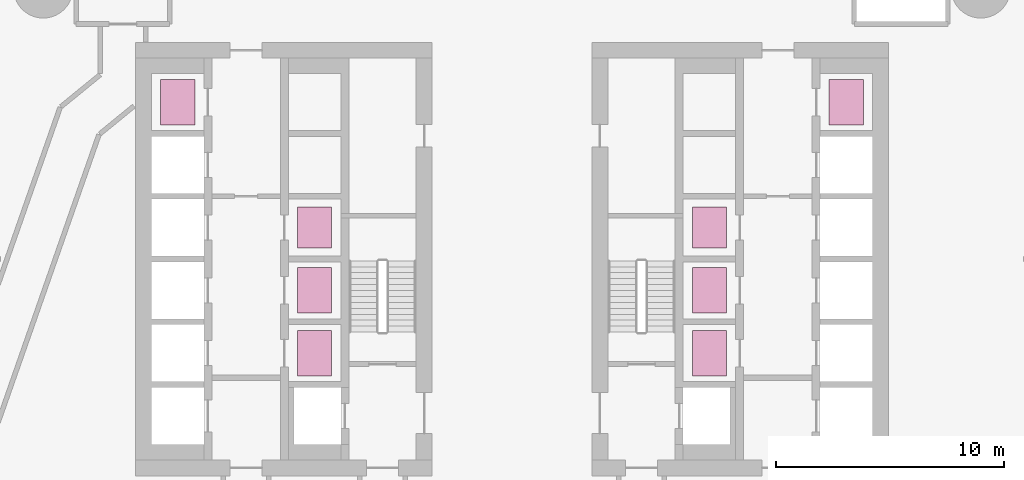
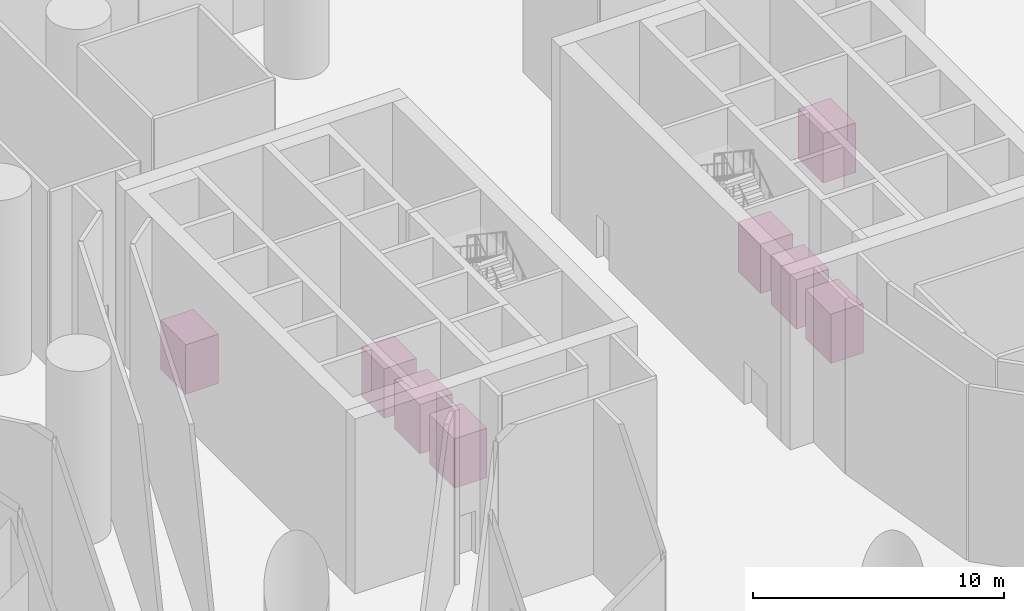
# One storey, part 53 of 54: 8 transport elements.
"""IFC4 building model written with IfcOpenShell, lengths in metres."""

import ifcopenshell
import ifcopenshell.guid

model = None  # the IFC model being written
_history = None  # IfcOwnerHistory: only IFC2X3 demands one
_inside = {}  # id of a spatial element -> (the spatial element, [elements in it])
_under = {}  # id of a project, library or spatial element -> (it, [spatial elements below it])
_declared = {}  # id of a project -> (the project, [libraries it declares])
_typed = {}  # id of a type object -> (the type object, [elements of that type])
_made_of = {}  # id of a material, layer set ... -> (it, [elements and type objects made of it])


def new_model(schema):
    """Start an empty IFC model of exactly this schema.

    Asked for "IFC4X3", IfcOpenShell would pick the latest addendum, in which some entities
    have other attributes; the version numbers below select the first issue.
    IFC2X3 requires an IfcOwnerHistory on every rooted entity: one is made here for all.
    """
    global model, _history
    if schema == "IFC4X3":
        model = ifcopenshell.file(schema_version=(4, 3, 0, 0))
    else:
        model = ifcopenshell.file(schema=schema)
    _inside.clear()
    _under.clear()
    _declared.clear()
    _typed.clear()
    _made_of.clear()
    _history = None
    if model.schema == "IFC2X3":
        org = make("IfcOrganization", Name="unknown")
        user = make(
            "IfcPersonAndOrganization",
            ThePerson=make("IfcPerson", FamilyName="unknown"),
            TheOrganization=org,
        )
        app = make(
            "IfcApplication",
            ApplicationDeveloper=org,
            Version="unknown",
            ApplicationFullName="unknown",
            ApplicationIdentifier="unknown",
        )
        _history = make(
            "IfcOwnerHistory",
            OwningUser=user,
            OwningApplication=app,
            ChangeAction="ADDED",
            CreationDate=0,
        )
    return model


def make(cls, **values):
    """One entity of the class cls with the attributes given. An attribute that is None is left unset."""
    return model.create_entity(
        cls, **{name: value for name, value in values.items() if value is not None}
    )


def rooted(cls, **values):
    """An entity with a GlobalId (a new one), such as an element, a storey or a relation."""
    return make(cls, GlobalId=ifcopenshell.guid.new(), OwnerHistory=_history, **values)


def si_unit(unit_type, name, prefix=None):
    """IfcSIUnit, for example si_unit("LENGTHUNIT", "METRE", prefix="MILLI")."""
    return make("IfcSIUnit", UnitType=unit_type, Prefix=prefix, Name=name)


def assignment(units):
    """IfcUnitAssignment: the units of a project."""
    return None if units is None else make("IfcUnitAssignment", Units=units)


def point(xyz):
    """IfcCartesianPoint."""
    return None if xyz is None else make("IfcCartesianPoint", Coordinates=xyz)


def direction(xyz):
    """IfcDirection."""
    return None if xyz is None else make("IfcDirection", DirectionRatios=xyz)


def frame(location, z_axis=None, x_axis=None):
    """IfcAxis2Placement3D, a coordinate frame: its origin and axes. An axis left out is left unset."""
    return make(
        "IfcAxis2Placement3D",
        Location=point(location),
        Axis=direction(z_axis),
        RefDirection=direction(x_axis),
    )


def frame_2d(location, x_axis=None):
    """IfcAxis2Placement2D, a coordinate frame in the plane: its origin and x axis."""
    return make(
        "IfcAxis2Placement2D", Location=point(location), RefDirection=direction(x_axis)
    )


def origin():
    """The frame at (0, 0, 0) with its axes left unset."""
    return frame((0.0, 0.0, 0.0))


def origin_2d():
    """The frame at (0, 0) in the plane with its x axis left unset."""
    return frame_2d((0.0, 0.0))


def place(relative_to, where):
    """IfcLocalPlacement: puts the frame where relative to a parent placement (None: the world)."""
    return make(
        "IfcLocalPlacement", PlacementRelTo=relative_to, RelativePlacement=where
    )


def context(
    kind, dimensions, precision=None, world=None, true_north=None, identifier=None
):
    """IfcGeometricRepresentationContext, for example the 3D "Model" context."""
    return make(
        "IfcGeometricRepresentationContext",
        ContextIdentifier=identifier,
        ContextType=kind,
        CoordinateSpaceDimension=dimensions,
        Precision=precision,
        WorldCoordinateSystem=world,
        TrueNorth=true_north,
    )


def subcontext(parent, identifier, kind, view, scale=None):
    """IfcGeometricRepresentationSubContext, for example "Body" below "Model"."""
    return make(
        "IfcGeometricRepresentationSubContext",
        ContextIdentifier=identifier,
        ContextType=kind,
        ParentContext=parent,
        TargetScale=scale,
        TargetView=view,
    )


def project(units=None, contexts=None):
    """IfcProject with its units and contexts."""
    return rooted(
        "IfcProject",
        Name="project",
        RepresentationContexts=contexts,
        UnitsInContext=assignment(units),
    )


def spatial(cls, under=None, at=None, **own):
    """A site, building, storey or space (cls), placed at a placement, below another one or the project."""
    s = rooted(cls, ObjectPlacement=at, **own)
    if under is not None:
        _under.setdefault(under.id(), (under, []))[1].append(s)
    return s


def profile(cls, at=None, kind="AREA", **sizes):
    """A parametric profile (cls). Its sizes go by their IFC names, for example OverallWidth=200.0."""
    return make(cls, ProfileType=kind, Position=at, **sizes)


def rectangle(**sizes):
    """IfcRectangleProfileDef."""
    return profile("IfcRectangleProfileDef", **sizes)


def extrude(swept, where, along, depth):
    """IfcExtrudedAreaSolid: the profile swept, set in the frame where, extruded along a direction by depth."""
    return make(
        "IfcExtrudedAreaSolid",
        SweptArea=swept,
        Position=where,
        ExtrudedDirection=direction(along),
        Depth=depth,
    )


def shape(context_of_items, identifier, shape_type, items):
    """IfcShapeRepresentation: the items that make up one representation, for example the "Body"."""
    return make(
        "IfcShapeRepresentation",
        ContextOfItems=context_of_items,
        RepresentationIdentifier=identifier,
        RepresentationType=shape_type,
        Items=items,
    )


def material(Name=None, Category=None):
    """IfcMaterial."""
    return make("IfcMaterial", Name=Name, Category=Category)


def made_of(thing, what):
    """Note that an element or type object is made of a material, layer set ...; save() writes the relation."""
    if what is not None:
        _made_of.setdefault(what.id(), (what, []))[1].append(thing)
    return thing


def type_object(cls, material=None, **own):
    """A type object (cls), such as IfcWallType, which elements share."""
    return made_of(rooted(cls, **own), material)


def element(
    cls,
    number,
    at=None,
    inside=None,
    cuts=None,
    type_object=None,
    material=None,
    context=None,
    identifier="Body",
    shape_type=None,
    held_by="IfcProductDefinitionShape",
    body=None,
    shapes=None,
    **own,
):
    """One element of the class cls, such as IfcWall. Its Tag is "e" and its number.

    at: its placement. inside: the storey or other place that contains it. cuts: it is an
    opening in that element (IfcRelVoidsElement). A single representation is given by context,
    identifier, shape_type and body (its items); several are given by shapes. held_by: the class
    of the entity that holds the representations. save() writes the other relations.
    """
    e = rooted(cls, Tag="e%d" % number, ObjectPlacement=at, **own)
    if body is not None:
        shapes = [shape(context, identifier, shape_type, body)]
    if shapes is not None:
        e.Representation = make(held_by, Representations=shapes)
    if inside is not None:
        _inside.setdefault(inside.id(), (inside, []))[1].append(e)
    if cuts is not None:
        rooted(
            "IfcRelVoidsElement", RelatingBuildingElement=cuts, RelatedOpeningElement=e
        )
    if type_object is not None:
        _typed.setdefault(type_object.id(), (type_object, []))[1].append(e)
    return made_of(e, material)


def aggregate(whole, parts):
    """IfcRelAggregates: a whole, such as a stair, and the parts it consists of."""
    return rooted("IfcRelAggregates", RelatingObject=whole, RelatedObjects=parts)


def save(model, path):
    """Write the relations noted so far, then the file.

    IfcRelAggregates (storeys below a building ...), IfcRelContainedInSpatialStructure (elements
    in a storey), IfcRelDefinesByType, IfcRelAssociatesMaterial and IfcRelDeclares: one each for
    every whole, place, type object, material and project.
    """
    for whole, parts in _under.values():
        aggregate(whole, parts)
    for where, things in _inside.values():
        rooted(
            "IfcRelContainedInSpatialStructure",
            RelatedElements=things,
            RelatingStructure=where,
        )
    for kind, things in _typed.values():
        rooted("IfcRelDefinesByType", RelatedObjects=things, RelatingType=kind)
    for what, things in _made_of.values():
        rooted("IfcRelAssociatesMaterial", RelatedObjects=things, RelatingMaterial=what)
    for by, libraries in _declared.values():
        rooted("IfcRelDeclares", RelatingContext=by, RelatedDefinitions=libraries)
    model.write(path)


model = new_model("IFC4")

# Units and contexts
model_context = context("Model", 3, precision=1e-05, world=origin(), true_north=direction((0.0, 1.0)))
body_context = subcontext(model_context, "Body", "Model", "MODEL_VIEW")
ifc_project = project(units=[si_unit("LENGTHUNIT", "METRE"), si_unit("AREAUNIT", "SQUARE_METRE"), si_unit("VOLUMEUNIT", "CUBIC_METRE"), si_unit("PLANEANGLEUNIT", "RADIAN"), si_unit("MASSUNIT", "GRAM", prefix="KILO")], contexts=[model_context])

# Site, building, storey
site_placement = place(None, origin())
site = spatial("IfcSite", under=ifc_project, at=site_placement, CompositionType="ELEMENT")
building_placement = place(site_placement, origin())
building = spatial("IfcBuilding", under=site, at=building_placement, Name="Tamarind Cross Interchange Tower", CompositionType="ELEMENT")
storey_placement = place(building_placement, origin())
storey = spatial("IfcBuildingStorey", under=building, at=storey_placement, Name="L00", CompositionType="ELEMENT", Elevation=0.0)

# Transport elements
ifc_material_1 = material(Name="Hotel shuttle lift car 1800 x 1500")
transport_element_type_1 = type_object("IfcTransportElementType", Name="Hotel shuttle lift car 1800 x 1500", PredefinedType="ELEVATOR", material=ifc_material_1)
for number, where, z_axis, x_axis, name in (
    (1, (-8.64990234375, 1.375, 0.0), (0.0, 0.0, 1.0), (1.0, 0.0, 0.0), "Hotel shuttle lift HS1 LF10"),
    (2, (8.64990234375, 1.375, 0.0), (0.0, 0.0, 1.0), (1.0, 0.0, 0.0), "Hotel shuttle lift HS2 LF22"),
):
    element("IfcTransportElement", number, at=place(storey_placement, frame(where, z_axis=z_axis, x_axis=x_axis)), inside=storey, type_object=transport_element_type_1, Name=name, PredefinedType="ELEVATOR", context=body_context, shape_type="SweptSolid", body=[
        extrude(rectangle(XDim=1.5, YDim=1.800048828125, at=origin_2d()), origin(), (0.0, 0.0, 1.0), 2.39990234375),
    ])
ifc_material_2 = material(Name="Mid-rise passenger lift car 2000 x 1500")
transport_element_type_2 = type_object("IfcTransportElementType", Name="Mid-rise passenger lift car 2000 x 1500", PredefinedType="ELEVATOR", material=ifc_material_2)
for number, where, z_axis, x_axis, name in (
    (3, (-8.64990234375, -4.125, 0.0), (0.0, 0.0, 1.0), (1.0, 0.0, 0.0), "Mid-rise passenger lift MR1 LF8"),
    (4, (-8.64990234375, -1.375, 0.0), (0.0, 0.0, 1.0), (1.0, 0.0, 0.0), "Mid-rise passenger lift MR2 LF9"),
    (5, (8.64990234375, -4.125, 0.0), (0.0, 0.0, 1.0), (1.0, 0.0, 0.0), "Mid-rise passenger lift MR3 LF20"),
    (6, (8.64990234375, -1.375, 0.0), (0.0, 0.0, 1.0), (1.0, 0.0, 0.0), "Mid-rise passenger lift MR4 LF21"),
):
    element("IfcTransportElement", number, at=place(storey_placement, frame(where, z_axis=z_axis, x_axis=x_axis)), inside=storey, type_object=transport_element_type_2, Name=name, PredefinedType="ELEVATOR", context=body_context, shape_type="SweptSolid", body=[
        extrude(rectangle(XDim=1.5, YDim=2.0, at=origin_2d()), origin(), (0.0, 0.0, 1.0), 2.39990234375),
    ])
ifc_material_3 = material(Name="Observation express lift car 2000 x 1500")
transport_element_type_3 = type_object("IfcTransportElementType", Name="Observation express lift car 2000 x 1500", PredefinedType="ELEVATOR", material=ifc_material_3)
for number, where, z_axis, x_axis, name in (
    (7, (-14.64990234375, 6.875, 0.0), (0.0, 0.0, 1.0), (1.0, 0.0, 0.0), "Observation express lift OB1 LF6"),
    (8, (14.64990234375, 6.875, 0.0), (0.0, 0.0, 1.0), (1.0, 0.0, 0.0), "Observation express lift OB2 LF18"),
):
    element("IfcTransportElement", number, at=place(storey_placement, frame(where, z_axis=z_axis, x_axis=x_axis)), inside=storey, type_object=transport_element_type_3, Name=name, PredefinedType="ELEVATOR", context=body_context, shape_type="SweptSolid", body=[
        extrude(rectangle(XDim=1.5, YDim=2.0, at=origin_2d()), origin(), (0.0, 0.0, 1.0), 2.39990234375),
    ])

save(model, "model.ifc")
